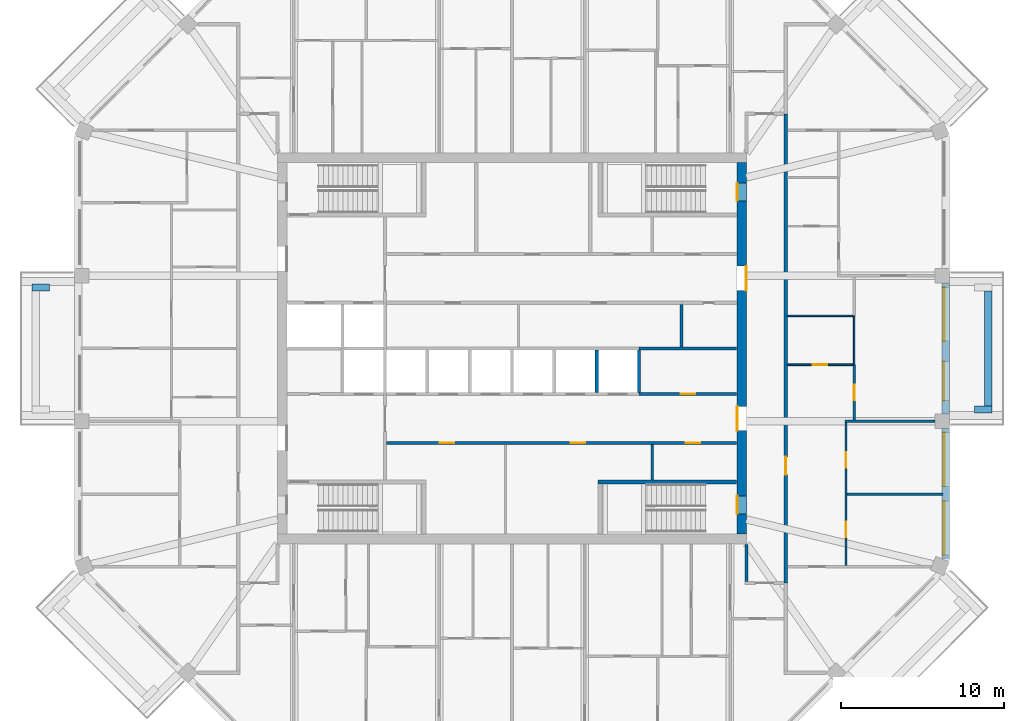
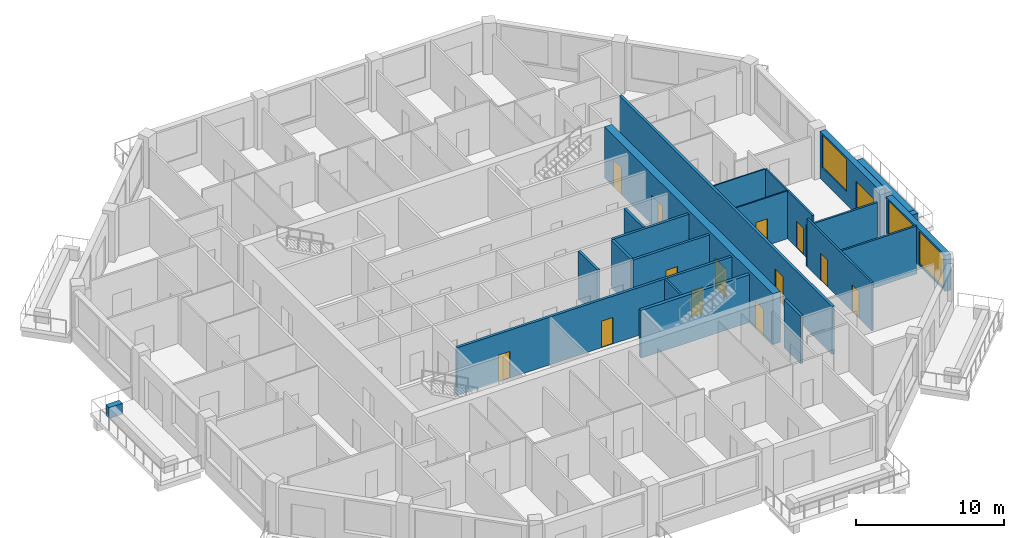
# One storey, part 6 of 13: 23 walls, 14 doors, 3 windows, 17 openings.
"""IFC4 building model written with IfcOpenShell, lengths in metres."""

from ifc_helpers import new_model, si_unit, direction, frame, frame_2d, origin, place, context, subcontext, project, spatial, rectangle, extrude, material, layer, layer_set, type_object, element, fill, save


model = new_model("IFC4")

# Units and contexts
model_context = context("Model", 3, precision=1e-05, world=origin(), true_north=direction((0.0, 1.0)))
body_context = subcontext(model_context, "Body", "Model", "MODEL_VIEW")
ifc_project = project(units=[si_unit("LENGTHUNIT", "METRE"), si_unit("AREAUNIT", "SQUARE_METRE"), si_unit("VOLUMEUNIT", "CUBIC_METRE"), si_unit("PLANEANGLEUNIT", "RADIAN"), si_unit("MASSUNIT", "GRAM", prefix="KILO")], contexts=[model_context])

# Site, building, storey
site_placement = place(None, origin())
site = spatial("IfcSite", under=ifc_project, at=site_placement, CompositionType="ELEMENT")
building_placement = place(site_placement, origin())
building = spatial("IfcBuilding", under=site, at=building_placement, Name="Msitu Wima Residences", CompositionType="ELEMENT")
storey_placement = place(building_placement, frame((0.0, 0.0, 281.10009765625)))
storey = spatial("IfcBuildingStorey", under=building, at=storey_placement, Name="L65", CompositionType="ELEMENT", Elevation=281.10009765625)

# Walls
ifc_material_1 = material(Name="Facing brick")
ifc_layer_1 = layer(ifc_material_1, 0.06494140625, Name="Facing brick")
ifc_material_2 = material(Name="Concrete C40/50", Category="concrete")
ifc_layer_2 = layer(ifc_material_2, 0.156005859375, Name="Concrete C40/50")
ifc_material_3 = material(Name="Waterproofing membrane")
ifc_layer_3 = layer(ifc_material_3, 0.00390625, Name="Waterproofing membrane")
ifc_material_4 = material(Name="Planting soil and planting")
ifc_layer_4 = layer(ifc_material_4, 0.22509765625, Name="Planting soil and planting")
ifc_layer_set_1 = layer_set([ifc_layer_1, ifc_layer_2, ifc_layer_3, ifc_layer_4], Name="Concrete C40/50")
wall_type_1 = type_object("IfcWallType", Name="Balcony planter PLANTER PL450", PredefinedType="USERDEFINED", material=ifc_layer_set_1)
wall_1_placement = place(storey_placement, frame((29.22509765625, -3.5185546875, 0.0), z_axis=(0.0, 0.0, 1.0), x_axis=(0.0, 1.0, 0.0)))
element("IfcWall", 1, at=wall_1_placement, inside=storey, type_object=wall_type_1, Name="Balcony planter E1 L65", ObjectType="PLANTER", PredefinedType="USERDEFINED", context=body_context, shape_type="SweptSolid", body=[
    extrude(rectangle(XDim=7.037109375, YDim=0.449951171875, at=frame_2d((3.5185546875, 0.0))), origin(), (0.0, 0.0, 1.0), 0.89990234375),
])
for number, where, z_axis, x_axis, name in (
    (2, (28.39990234375, -3.74365234375, 0.0), (0.0, 0.0, 1.0), (1.0, 0.0, 0.0), "Balcony planter E1 L65"),
    (3, (-28.39990234375, 3.74365234375, 0.0), (0.0, 0.0, 1.0), (-1.0, 0.0, 0.0), "Balcony planter W1 L65"),
):
    element("IfcWall", number, at=place(storey_placement, frame(where, z_axis=z_axis, x_axis=x_axis)), inside=storey, type_object=wall_type_1, Name=name, ObjectType="PLANTER", PredefinedType="USERDEFINED", context=body_context, shape_type="SweptSolid", body=[
        extrude(rectangle(XDim=1.050048828125, YDim=0.449951171875, at=frame_2d((0.52490234375, 0.0))), origin(), (0.0, 0.0, 1.0), 0.89990234375),
    ])

# Wall, openings, windows
ifc_material_5 = material(Name="Brick (red buff mix)", Category="masonry")
ifc_layer_5 = layer(ifc_material_5, 0.449951171875)
ifc_layer_set_2 = layer_set([ifc_layer_5], Name="Brick (red buff mix)")
wall_type_2 = type_object("IfcWallType", Name="Brick infill wall BW450", PredefinedType="SOLIDWALL", material=ifc_layer_set_2)
wall_2_placement = place(storey_placement, frame((26.625, -12.918701171875, 0.89990234375), z_axis=(0.0, 0.0, 1.0), x_axis=(0.0, 1.0, 0.0)))
wall_2 = element("IfcWall", 4, at=wall_2_placement, inside=storey, type_object=wall_type_2, Name="Brick infill wall L65 E0", PredefinedType="SOLIDWALL", context=body_context, shape_type="SweptSolid", body=[
    extrude(rectangle(XDim=8.0, YDim=0.449951171875, at=frame_2d((4.0, 0.0))), origin(), (0.0, 0.0, 1.0), 3.0),
])
opening_1_placement = place(wall_2_placement, frame((0.25, 0.0, 0.14990234375)))
opening_1 = element("IfcOpeningElement", 5, at=opening_1_placement, cuts=wall_2, Name="Opening W65-67.001", PredefinedType="OPENING", context=body_context, shape_type="SweptSolid", body=[
    extrude(rectangle(XDim=3.300048828125, YDim=2.699951171875, at=frame_2d((1.64990234375, 1.35009765625))), frame((0.0, 0.23486328125, 0.0), z_axis=(0.0, -1.0, 0.0), x_axis=(1.0, 0.0, 0.0)), (0.0, 0.0, 1.0), 0.469970703125),
])
opening_2_placement = place(wall_2_placement, frame((4.4501953125, 0.0, 0.14990234375)))
opening_2 = element("IfcOpeningElement", 6, at=opening_2_placement, cuts=wall_2, Name="Opening W65-67.002", PredefinedType="OPENING", context=body_context, shape_type="SweptSolid", body=[
    extrude(rectangle(XDim=3.300048828125, YDim=2.699951171875, at=frame_2d((1.64990234375, 1.35009765625))), frame((0.0, 0.23486328125, 0.0), z_axis=(0.0, -1.0, 0.0), x_axis=(1.0, 0.0, 0.0)), (0.0, 0.0, 1.0), 0.469970703125),
])
ifc_material_6 = material(Name="Anodised aluminium, bronze finish, clear low-emissivity double glazing", Category="aluminium")
window_type = type_object("IfcWindowType", Name="Window W3300x2700", PartitioningType="DOUBLE_PANEL_VERTICAL", PredefinedType="WINDOW", material=ifc_material_6)
window_1_placement = place(opening_1_placement, origin())
window_1 = element("IfcWindow", 7, at=window_1_placement, inside=storey, type_object=window_type, Name="Window L65 E0.1", OverallHeight=2.699951171875, OverallWidth=3.300048828125, PartitioningType="SINGLE_PANEL", PredefinedType="WINDOW", context=body_context, shape_type="SweptSolid", body=[
    extrude(rectangle(XDim=3.300048828125, YDim=2.699951171875, at=frame_2d((1.64990234375, 1.35009765625))), frame((0.0, 0.135009765625, 0.0), z_axis=(0.0, -1.0, 0.0), x_axis=(1.0, 0.0, 0.0)), (0.0, 0.0, 1.0), 0.06005859375),
])
fill(opening_1, window_1)
window_2_placement = place(opening_2_placement, origin())
window_2 = element("IfcWindow", 8, at=window_2_placement, inside=storey, type_object=window_type, Name="Window L65 E0.2", OverallHeight=2.699951171875, OverallWidth=3.300048828125, PartitioningType="SINGLE_PANEL", PredefinedType="WINDOW", context=body_context, shape_type="SweptSolid", body=[
    extrude(rectangle(XDim=3.300048828125, YDim=2.699951171875, at=frame_2d((1.64990234375, 1.35009765625))), frame((0.0, 0.135009765625, 0.0), z_axis=(0.0, -1.0, 0.0), x_axis=(1.0, 0.0, 0.0)), (0.0, 0.0, 1.0), 0.06005859375),
])
fill(opening_2, window_2)

# Wall, openings, door, window
wall_3_placement = place(storey_placement, frame((26.625, -4.0185546875, 0.0), z_axis=(0.0, 0.0, 1.0), x_axis=(0.0, 1.0, 0.0)))
wall_3 = element("IfcWall", 9, at=wall_3_placement, inside=storey, type_object=wall_type_2, Name="Brick infill wall L65 E1", PredefinedType="SOLIDWALL", context=body_context, shape_type="SweptSolid", body=[
    extrude(rectangle(XDim=8.037109375, YDim=0.449951171875, at=frame_2d((4.0185546875, 0.0))), origin(), (0.0, 0.0, 1.0), 3.89990234375),
])
opening_3_placement = place(wall_3_placement, frame((0.809326171875, 0.0, 0.0)))
opening_3 = element("IfcOpeningElement", 10, at=opening_3_placement, cuts=wall_3, Name="Opening D65-67.001", PredefinedType="OPENING", context=body_context, shape_type="SweptSolid", body=[
    extrude(rectangle(XDim=2.39990234375, YDim=2.699951171875, at=frame_2d((1.199951171875, 1.35009765625))), frame((0.0, 0.23486328125, 0.0), z_axis=(0.0, -1.0, 0.0), x_axis=(1.0, 0.0, 0.0)), (0.0, 0.0, 1.0), 0.469970703125),
])
opening_4_placement = place(wall_3_placement, frame((4.46875, 0.0, 1.050048828125)))
opening_4 = element("IfcOpeningElement", 11, at=opening_4_placement, cuts=wall_3, Name="Opening W65-67.003", PredefinedType="OPENING", context=body_context, shape_type="SweptSolid", body=[
    extrude(rectangle(XDim=3.300048828125, YDim=2.699951171875, at=frame_2d((1.64990234375, 1.35009765625))), frame((0.0, 0.23486328125, 0.0), z_axis=(0.0, -1.0, 0.0), x_axis=(1.0, 0.0, 0.0)), (0.0, 0.0, 1.0), 0.469970703125),
])
door_type_1 = type_object("IfcDoorType", Name="Balcony door D2400x2700", OperationType="SLIDING_TO_LEFT", PredefinedType="DOOR", material=ifc_material_6)
door_1_placement = place(opening_3_placement, origin())
door_1 = element("IfcDoor", 12, at=door_1_placement, inside=storey, type_object=door_type_1, Name="Balcony door L65 E1", OperationType="SINGLE_SWING_LEFT", OverallHeight=2.699951171875, OverallWidth=2.39990234375, PredefinedType="DOOR", context=body_context, shape_type="SweptSolid", body=[
    extrude(rectangle(XDim=2.39990234375, YDim=2.699951171875, at=frame_2d((1.199951171875, 1.35009765625))), frame((0.0, 0.1298828125, 0.0), z_axis=(0.0, -1.0, 0.0), x_axis=(1.0, 0.0, 0.0)), (0.0, 0.0, 1.0), 0.050048828125),
])
fill(opening_3, door_1)
window_3_placement = place(opening_4_placement, origin())
window_3 = element("IfcWindow", 13, at=window_3_placement, inside=storey, type_object=window_type, Name="Window L65 E1.2", OverallHeight=2.699951171875, OverallWidth=3.300048828125, PartitioningType="SINGLE_PANEL", PredefinedType="WINDOW", context=body_context, shape_type="SweptSolid", body=[
    extrude(rectangle(XDim=3.300048828125, YDim=2.699951171875, at=frame_2d((1.64990234375, 1.35009765625))), frame((0.0, 0.135009765625, 0.0), z_axis=(0.0, -1.0, 0.0), x_axis=(1.0, 0.0, 0.0)), (0.0, 0.0, 1.0), 0.06005859375),
])
fill(opening_4, window_3)

# Wall, openings, doors
ifc_material_7 = material(Name="Concrete C50/60", Category="concrete")
ifc_layer_6 = layer(ifc_material_7, 0.60009765625)
ifc_layer_set_3 = layer_set([ifc_layer_6], Name="Concrete C50/60")
wall_type_3 = type_object("IfcWallType", Name="Core wall CW600 C50/60", PredefinedType="SHEAR", material=ifc_layer_set_3)
wall_4_placement = place(storey_placement, frame((14.10009765625, -11.39990234375, 0.0), z_axis=(0.0, 0.0, 1.0), x_axis=(0.0, 1.0, 0.0)))
wall_4 = element("IfcWall", 14, at=wall_4_placement, inside=storey, type_object=wall_type_3, Name="Core wall", PredefinedType="SHEAR", context=body_context, shape_type="SweptSolid", body=[
    extrude(rectangle(XDim=22.7998046875, YDim=0.60009765625, at=frame_2d((11.39990234375, 0.0))), origin(), (0.0, 0.0, 1.0), 4.199951171875),
])
opening_5_placement = place(wall_4_placement, frame((20.449951171875, 0.0, 0.0)))
opening_5 = element("IfcOpeningElement", 15, at=opening_5_placement, cuts=wall_4, Name="Opening D65-67.096", PredefinedType="OPENING", context=body_context, shape_type="SweptSolid", body=[
    extrude(rectangle(XDim=1.10009765625, YDim=2.199951171875, at=frame_2d((0.550048828125, 1.10009765625))), frame((0.0, 0.31005859375, 0.0), z_axis=(0.0, -1.0, 0.0), x_axis=(1.0, 0.0, 0.0)), (0.0, 0.0, 1.0), 0.6201171875),
])
opening_6_placement = place(wall_4_placement, frame((1.25, 0.0, 0.0)))
opening_6 = element("IfcOpeningElement", 16, at=opening_6_placement, cuts=wall_4, Name="Opening D65-67.097", PredefinedType="OPENING", context=body_context, shape_type="SweptSolid", body=[
    extrude(rectangle(XDim=1.10009765625, YDim=2.199951171875, at=frame_2d((0.550048828125, 1.10009765625))), frame((0.0, 0.31005859375, 0.0), z_axis=(0.0, -1.0, 0.0), x_axis=(1.0, 0.0, 0.0)), (0.0, 0.0, 1.0), 0.6201171875),
])
opening_7_placement = place(wall_4_placement, frame((14.949951171875, 0.0, 0.0)))
opening_7 = element("IfcOpeningElement", 17, at=opening_7_placement, cuts=wall_4, Name="Opening D65-67.086", PredefinedType="OPENING", context=body_context, shape_type="SweptSolid", body=[
    extrude(rectangle(XDim=1.5, YDim=2.39990234375, at=frame_2d((0.75, 1.199951171875))), frame((0.0, 0.31005859375, 0.0), z_axis=(0.0, -1.0, 0.0), x_axis=(1.0, 0.0, 0.0)), (0.0, 0.0, 1.0), 0.6201171875),
])
opening_8_placement = place(wall_4_placement, frame((6.35009765625, 0.0, 0.0)))
opening_8 = element("IfcOpeningElement", 18, at=opening_8_placement, cuts=wall_4, Name="Opening D65-67.087", PredefinedType="OPENING", context=body_context, shape_type="SweptSolid", body=[
    extrude(rectangle(XDim=1.5, YDim=2.39990234375, at=frame_2d((0.75, 1.199951171875))), frame((0.0, 0.31005859375, 0.0), z_axis=(0.0, -1.0, 0.0), x_axis=(1.0, 0.0, 0.0)), (0.0, 0.0, 1.0), 0.6201171875),
])
ifc_material_8 = material(Name="Steel framed glazed door, fire resisting", Category="steel")
door_type_2 = type_object("IfcDoorType", Name="Lobby door D07 1500x2400", OperationType="DOUBLE_DOOR_SINGLE_SWING", PredefinedType="DOOR", material=ifc_material_8)
door_2_placement = place(opening_7_placement, origin())
door_2 = element("IfcDoor", 19, at=door_2_placement, inside=storey, type_object=door_type_2, Name="Lobby door", OperationType="DOUBLE_DOOR_SINGLE_SWING", OverallHeight=2.39990234375, OverallWidth=1.5, PredefinedType="DOOR", context=body_context, shape_type="SweptSolid", body=[
    extrude(rectangle(XDim=1.5, YDim=2.39990234375, at=frame_2d((0.75, 1.199951171875))), frame((0.0, -0.2451171875, 0.0), z_axis=(0.0, -1.0, 0.0), x_axis=(1.0, 0.0, 0.0)), (0.0, 0.0, 1.0), 0.050048828125),
])
fill(opening_7, door_2)
door_3_placement = place(opening_8_placement, origin())
door_3 = element("IfcDoor", 20, at=door_3_placement, inside=storey, type_object=door_type_2, Name="Lobby door", OperationType="DOUBLE_DOOR_SINGLE_SWING", OverallHeight=2.39990234375, OverallWidth=1.5, PredefinedType="DOOR", context=body_context, shape_type="SweptSolid", body=[
    extrude(rectangle(XDim=1.5, YDim=2.39990234375, at=frame_2d((0.75, 1.199951171875))), frame((0.0, 0.294921875, 0.0), z_axis=(0.0, -1.0, 0.0), x_axis=(1.0, 0.0, 0.0)), (0.0, 0.0, 1.0), 0.050048828125),
])
fill(opening_8, door_3)
ifc_material_9 = material(Name="Steel door, fire resisting, panic bar", Category="steel")
door_type_3 = type_object("IfcDoorType", Name="Stair door D06 1100x2200", OperationType="SINGLE_SWING_LEFT", PredefinedType="DOOR", material=ifc_material_9)
door_4_placement = place(opening_5_placement, origin())
door_4 = element("IfcDoor", 21, at=door_4_placement, inside=storey, type_object=door_type_3, Name="Stair door", OperationType="SINGLE_SWING_LEFT", OverallHeight=2.199951171875, OverallWidth=1.10009765625, PredefinedType="DOOR", context=body_context, shape_type="SweptSolid", body=[
    extrude(rectangle(XDim=1.10009765625, YDim=2.199951171875, at=frame_2d((0.550048828125, 1.10009765625))), frame((0.0, 0.294921875, 0.0), z_axis=(0.0, -1.0, 0.0), x_axis=(1.0, 0.0, 0.0)), (0.0, 0.0, 1.0), 0.050048828125),
])
fill(opening_5, door_4)
door_5_placement = place(opening_6_placement, origin())
door_5 = element("IfcDoor", 22, at=door_5_placement, inside=storey, type_object=door_type_3, Name="Stair door", OperationType="SINGLE_SWING_RIGHT", OverallHeight=2.199951171875, OverallWidth=1.10009765625, PredefinedType="DOOR", context=body_context, shape_type="SweptSolid", body=[
    extrude(rectangle(XDim=1.10009765625, YDim=2.199951171875, at=frame_2d((0.550048828125, 1.10009765625))), frame((0.0, 0.294921875, 0.0), z_axis=(0.0, -1.0, 0.0), x_axis=(1.0, 0.0, 0.0)), (0.0, 0.0, 1.0), 0.050048828125),
])
fill(opening_6, door_5)

ifc_material_10 = material(Name="Plaster")
ifc_layer_7 = layer(ifc_material_10, 0.011962890625, Name="Plaster")
ifc_material_11 = material(Name="Concrete blockwork", Category="masonry")
ifc_layer_8 = layer(ifc_material_11, 0.176025390625, Name="Concrete blockwork")
ifc_layer_9 = layer(ifc_material_10, 0.011962890625, Name="Plaster")
ifc_layer_set_4 = layer_set([ifc_layer_7, ifc_layer_8, ifc_layer_9], Name="Concrete blockwork")
wall_type_4 = type_object("IfcWallType", Name="Corridor wall FW200", PredefinedType="PARTITIONING", material=ifc_layer_set_4)
wall_5_placement = place(storey_placement, frame((-7.699951171875, -5.800048828125, 0.0), z_axis=(0.0, 0.0, 1.0), x_axis=(1.0, 0.0, 0.0)))
wall_5 = element("IfcWall", 23, at=wall_5_placement, inside=storey, type_object=wall_type_4, Name="Corridor wall", PredefinedType="PARTITIONING", context=body_context, shape_type="SweptSolid", body=[
    extrude(rectangle(XDim=21.469970703125, YDim=0.199951171875, at=frame_2d((10.73486328125, 0.0))), origin(), (0.0, 0.0, 1.0), 3.949951171875),
])
opening_9_placement = place(wall_5_placement, frame((3.25, 0.0, 0.0)))
opening_9 = element("IfcOpeningElement", 24, at=opening_9_placement, cuts=wall_5, Name="Opening D65-67.083", PredefinedType="OPENING", context=body_context, shape_type="SweptSolid", body=[
    extrude(rectangle(XDim=0.89990234375, YDim=2.199951171875, at=frame_2d((0.449951171875, 1.10009765625))), frame((0.0, 0.10986328125, 0.0), z_axis=(0.0, -1.0, 0.0), x_axis=(1.0, 0.0, 0.0)), (0.0, 0.0, 1.0), 0.219970703125),
])
opening_10_placement = place(wall_5_placement, frame((11.300048828125, 0.0, 0.0)))
opening_10 = element("IfcOpeningElement", 25, at=opening_10_placement, cuts=wall_5, Name="Opening D65-67.084", PredefinedType="OPENING", context=body_context, shape_type="SweptSolid", body=[
    extrude(rectangle(XDim=0.89990234375, YDim=2.199951171875, at=frame_2d((0.449951171875, 1.10009765625))), frame((0.0, 0.10986328125, 0.0), z_axis=(0.0, -1.0, 0.0), x_axis=(1.0, 0.0, 0.0)), (0.0, 0.0, 1.0), 0.219970703125),
])
opening_11_placement = place(wall_5_placement, frame((18.35009765625, 0.0, 0.0)))
opening_11 = element("IfcOpeningElement", 26, at=opening_11_placement, cuts=wall_5, Name="Opening D65-67.085", PredefinedType="OPENING", context=body_context, shape_type="SweptSolid", body=[
    extrude(rectangle(XDim=0.89990234375, YDim=2.199951171875, at=frame_2d((0.449951171875, 1.10009765625))), frame((0.0, 0.10986328125, 0.0), z_axis=(0.0, -1.0, 0.0), x_axis=(1.0, 0.0, 0.0)), (0.0, 0.0, 1.0), 0.219970703125),
])
ifc_material_12 = material(Name="Timber flush door", Category="wood")
door_type_4 = type_object("IfcDoorType", Name="Service door D05 900x2200", OperationType="SINGLE_SWING_LEFT", PredefinedType="DOOR", material=ifc_material_12)
door_6_placement = place(opening_9_placement, origin())
door_6 = element("IfcDoor", 27, at=door_6_placement, inside=storey, type_object=door_type_4, Name="Service door", OperationType="SINGLE_SWING_RIGHT", OverallHeight=2.199951171875, OverallWidth=0.89990234375, PredefinedType="DOOR", context=body_context, shape_type="SweptSolid", body=[
    extrude(rectangle(XDim=0.89990234375, YDim=2.199951171875, at=frame_2d((0.449951171875, 1.10009765625))), frame((0.0, 0.02490234375, 0.0), z_axis=(0.0, -1.0, 0.0), x_axis=(1.0, 0.0, 0.0)), (0.0, 0.0, 1.0), 0.050048828125),
])
fill(opening_9, door_6)
door_7_placement = place(opening_10_placement, origin())
door_7 = element("IfcDoor", 28, at=door_7_placement, inside=storey, type_object=door_type_4, Name="Service door", OperationType="SINGLE_SWING_LEFT", OverallHeight=2.199951171875, OverallWidth=0.89990234375, PredefinedType="DOOR", context=body_context, shape_type="SweptSolid", body=[
    extrude(rectangle(XDim=0.89990234375, YDim=2.199951171875, at=frame_2d((0.449951171875, 1.10009765625))), frame((0.0, 0.02490234375, 0.0), z_axis=(0.0, -1.0, 0.0), x_axis=(1.0, 0.0, 0.0)), (0.0, 0.0, 1.0), 0.050048828125),
])
fill(opening_10, door_7)
door_8_placement = place(opening_11_placement, origin())
door_8 = element("IfcDoor", 29, at=door_8_placement, inside=storey, type_object=door_type_4, Name="Service door", OperationType="SINGLE_SWING_RIGHT", OverallHeight=2.199951171875, OverallWidth=0.89990234375, PredefinedType="DOOR", context=body_context, shape_type="SweptSolid", body=[
    extrude(rectangle(XDim=0.89990234375, YDim=2.199951171875, at=frame_2d((0.449951171875, 1.10009765625))), frame((0.0, 0.02490234375, 0.0), z_axis=(0.0, -1.0, 0.0), x_axis=(1.0, 0.0, 0.0)), (0.0, 0.0, 1.0), 0.050048828125),
])
fill(opening_11, door_8)

# Wall
wall_6_placement = place(storey_placement, frame((14.39990234375, -14.300048828125, 0.0), z_axis=(0.0, 0.0, 1.0), x_axis=(0.0, 1.0, 0.0)))
element("IfcWall", 30, at=wall_6_placement, inside=storey, type_object=wall_type_4, Name="Corridor wall", PredefinedType="PARTITIONING", context=body_context, shape_type="SweptSolid", body=[
    extrude(rectangle(XDim=2.27001953125, YDim=0.199951171875, at=frame_2d((1.135009765625, 0.0))), origin(), (0.0, 0.0, 1.0), 3.949951171875),
])

# Wall, opening, door
wall_7_placement = place(storey_placement, frame((16.800048828125, -14.39990234375, 0.0), z_axis=(0.0, 0.0, 1.0), x_axis=(0.0, 1.0, 0.0)))
wall_7 = element("IfcWall", 31, at=wall_7_placement, inside=storey, type_object=wall_type_4, Name="Corridor wall", PredefinedType="PARTITIONING", context=body_context, shape_type="SweptSolid", body=[
    extrude(rectangle(XDim=28.7998046875, YDim=0.199951171875, at=frame_2d((14.39990234375, 0.0))), origin(), (0.0, 0.0, 1.0), 3.949951171875),
])
opening_12_placement = place(wall_7_placement, frame((6.64990234375, 0.0, 0.0)))
opening_12 = element("IfcOpeningElement", 32, at=opening_12_placement, cuts=wall_7, Name="Opening D65-67.011", PredefinedType="OPENING", context=body_context, shape_type="SweptSolid", body=[
    extrude(rectangle(XDim=1.10009765625, YDim=2.39990234375, at=frame_2d((0.550048828125, 1.199951171875))), frame((0.0, 0.10986328125, 0.0), z_axis=(0.0, -1.0, 0.0), x_axis=(1.0, 0.0, 0.0)), (0.0, 0.0, 1.0), 0.219970703125),
])
ifc_material_13 = material(Name="Timber flush door, fire resisting, self-closing", Category="wood")
door_type_5 = type_object("IfcDoorType", Name="Flat entrance door D01 1100x2400", OperationType="SINGLE_SWING_LEFT", PredefinedType="DOOR", material=ifc_material_13)
door_9_placement = place(opening_12_placement, origin())
door_9 = element("IfcDoor", 33, at=door_9_placement, inside=storey, type_object=door_type_5, Name="Flat entrance door", OperationType="SINGLE_SWING_RIGHT", OverallHeight=2.39990234375, OverallWidth=1.10009765625, PredefinedType="DOOR", context=body_context, shape_type="SweptSolid", body=[
    extrude(rectangle(XDim=1.10009765625, YDim=2.39990234375, at=frame_2d((0.550048828125, 1.199951171875))), frame((0.0, 0.02490234375, 0.0), z_axis=(0.0, -1.0, 0.0), x_axis=(1.0, 0.0, 0.0)), (0.0, 0.0, 1.0), 0.050048828125),
])
fill(opening_12, door_9)

# Wall
ifc_layer_10 = layer(ifc_material_10, 0.011962890625, Name="Plaster")
ifc_layer_11 = layer(ifc_material_11, 0.1259765625, Name="Concrete blockwork")
ifc_layer_12 = layer(ifc_material_10, 0.011962890625, Name="Plaster")
ifc_layer_set_5 = layer_set([ifc_layer_10, ifc_layer_11, ifc_layer_12], Name="Concrete blockwork")
wall_type_5 = type_object("IfcWallType", Name="Partition PW150", PredefinedType="PARTITIONING", material=ifc_layer_set_5)
wall_8_placement = place(storey_placement, frame((8.60009765625, -8.074951171875, 0.0), z_axis=(0.0, 0.0, 1.0), x_axis=(0.0, 1.0, 0.0)))
element("IfcWall", 34, at=wall_8_placement, inside=storey, type_object=wall_type_5, Name="Partition", PredefinedType="PARTITIONING", context=body_context, shape_type="SweptSolid", body=[
    extrude(rectangle(XDim=2.175048828125, YDim=0.14990234375, at=frame_2d((1.08740234375, 0.0))), origin(), (0.0, 0.0, 1.0), 3.949951171875),
])

# Wall, openings, doors
wall_9_placement = place(storey_placement, frame((20.5, -13.330810546875, 0.0), z_axis=(0.0, 0.0, 1.0), x_axis=(0.0, 1.0, 0.0)))
wall_9 = element("IfcWall", 35, at=wall_9_placement, inside=storey, type_object=wall_type_5, Name="Partition", PredefinedType="PARTITIONING", context=body_context, shape_type="SweptSolid", body=[
    extrude(rectangle(XDim=8.787109375, YDim=0.14990234375, at=frame_2d((4.3935546875, 0.0))), origin(), (0.0, 0.0, 1.0), 3.949951171875),
])
opening_13_placement = place(wall_9_placement, frame((1.75, 0.0, 0.0)))
opening_13 = element("IfcOpeningElement", 36, at=opening_13_placement, cuts=wall_9, Name="Opening D65-67.015", PredefinedType="OPENING", context=body_context, shape_type="SweptSolid", body=[
    extrude(rectangle(XDim=0.949951171875, YDim=2.199951171875, at=frame_2d((0.47509765625, 1.10009765625))), frame((0.0, 0.0849609375, 0.0), z_axis=(0.0, -1.0, 0.0), x_axis=(1.0, 0.0, 0.0)), (0.0, 0.0, 1.0), 0.169921875),
])
opening_14_placement = place(wall_9_placement, frame((6.0, 0.0, 0.0)))
opening_14 = element("IfcOpeningElement", 37, at=opening_14_placement, cuts=wall_9, Name="Opening D65-67.016", PredefinedType="OPENING", context=body_context, shape_type="SweptSolid", body=[
    extrude(rectangle(XDim=0.949951171875, YDim=2.199951171875, at=frame_2d((0.47509765625, 1.10009765625))), frame((0.0, 0.0849609375, 0.0), z_axis=(0.0, -1.0, 0.0), x_axis=(1.0, 0.0, 0.0)), (0.0, 0.0, 1.0), 0.169921875),
])
door_type_6 = type_object("IfcDoorType", Name="Room door D12 950x2200", OperationType="SINGLE_SWING_LEFT", PredefinedType="DOOR", material=ifc_material_12)
door_10_placement = place(opening_13_placement, origin())
door_10 = element("IfcDoor", 38, at=door_10_placement, inside=storey, type_object=door_type_6, Name="Room door", OperationType="SINGLE_SWING_LEFT", OverallHeight=2.199951171875, OverallWidth=0.949951171875, PredefinedType="DOOR", context=body_context, shape_type="SweptSolid", body=[
    extrude(rectangle(XDim=0.949951171875, YDim=2.199951171875, at=frame_2d((0.47509765625, 1.10009765625))), frame((0.0, 0.02490234375, 0.0), z_axis=(0.0, -1.0, 0.0), x_axis=(1.0, 0.0, 0.0)), (0.0, 0.0, 1.0), 0.050048828125),
])
fill(opening_13, door_10)
door_11_placement = place(opening_14_placement, origin())
door_11 = element("IfcDoor", 39, at=door_11_placement, inside=storey, type_object=door_type_6, Name="Room door", OperationType="SINGLE_SWING_RIGHT", OverallHeight=2.199951171875, OverallWidth=0.949951171875, PredefinedType="DOOR", context=body_context, shape_type="SweptSolid", body=[
    extrude(rectangle(XDim=0.949951171875, YDim=2.199951171875, at=frame_2d((0.47509765625, 1.10009765625))), frame((0.0, 0.02490234375, 0.0), z_axis=(0.0, -1.0, 0.0), x_axis=(1.0, 0.0, 0.0)), (0.0, 0.0, 1.0), 0.050048828125),
])
fill(opening_14, door_11)

# Walls
wall_10_placement = place(storey_placement, frame((20.574951171875, -8.937255859375, 0.0), z_axis=(0.0, 0.0, 1.0), x_axis=(1.0, 0.0, 0.0)))
element("IfcWall", 40, at=wall_10_placement, inside=storey, type_object=wall_type_5, Name="Partition", PredefinedType="PARTITIONING", context=body_context, shape_type="SweptSolid", body=[
    extrude(rectangle(XDim=5.880126953125, YDim=0.14990234375, at=frame_2d((2.93994140625, 0.0))), origin(), (0.0, 0.0, 1.0), 3.949951171875),
])
wall_11_placement = place(storey_placement, frame((20.425048828125, -4.46875, 0.0), z_axis=(0.0, 0.0, 1.0), x_axis=(1.0, 0.0, 0.0)))
element("IfcWall", 41, at=wall_11_placement, inside=storey, type_object=wall_type_5, Name="Partition", PredefinedType="PARTITIONING", context=body_context, shape_type="SweptSolid", body=[
    extrude(rectangle(XDim=5.52490234375, YDim=0.14990234375, at=frame_2d((2.762451171875, 0.0))), origin(), (0.0, 0.0, 1.0), 3.349853515625),
])

# Wall, opening, door
wall_12_placement = place(storey_placement, frame((21.0, -4.3935546875, 0.0), z_axis=(0.0, 0.0, 1.0), x_axis=(0.0, 1.0, 0.0)))
wall_12 = element("IfcWall", 42, at=wall_12_placement, inside=storey, type_object=wall_type_5, Name="Partition", PredefinedType="PARTITIONING", context=body_context, shape_type="SweptSolid", body=[
    extrude(rectangle(XDim=3.3935546875, YDim=0.14990234375, at=frame_2d((1.69677734375, 0.0))), origin(), (0.0, 0.0, 1.0), 3.949951171875),
])
opening_15_placement = place(wall_12_placement, frame((1.199951171875, 0.0, 0.0)))
opening_15 = element("IfcOpeningElement", 43, at=opening_15_placement, cuts=wall_12, Name="Opening D65-67.017", PredefinedType="OPENING", context=body_context, shape_type="SweptSolid", body=[
    extrude(rectangle(XDim=0.949951171875, YDim=2.199951171875, at=frame_2d((0.47509765625, 1.10009765625))), frame((0.0, 0.0849609375, 0.0), z_axis=(0.0, -1.0, 0.0), x_axis=(1.0, 0.0, 0.0)), (0.0, 0.0, 1.0), 0.169921875),
])
door_12_placement = place(opening_15_placement, origin())
door_12 = element("IfcDoor", 44, at=door_12_placement, inside=storey, type_object=door_type_6, Name="Room door", OperationType="SINGLE_SWING_RIGHT", OverallHeight=2.199951171875, OverallWidth=0.949951171875, PredefinedType="DOOR", context=body_context, shape_type="SweptSolid", body=[
    extrude(rectangle(XDim=0.949951171875, YDim=2.199951171875, at=frame_2d((0.47509765625, 1.10009765625))), frame((0.0, 0.02490234375, 0.0), z_axis=(0.0, -1.0, 0.0), x_axis=(1.0, 0.0, 0.0)), (0.0, 0.0, 1.0), 0.050048828125),
])
fill(opening_15, door_12)

ifc_layer_13 = layer(ifc_material_10, 0.011962890625, Name="Plaster")
ifc_material_14 = material(Name="Reinforced concrete blockwork", Category="masonry")
ifc_layer_14 = layer(ifc_material_14, 0.176025390625, Name="Reinforced concrete blockwork")
ifc_layer_15 = layer(ifc_material_10, 0.011962890625, Name="Plaster")
ifc_layer_set_6 = layer_set([ifc_layer_13, ifc_layer_14, ifc_layer_15], Name="Reinforced concrete blockwork")
wall_type_6 = type_object("IfcWallType", Name="Plant and riser wall PL200", PredefinedType="PARTITIONING", material=ifc_layer_set_6)
wall_13_placement = place(storey_placement, frame((7.800048828125, -2.800048828125, 0.0), z_axis=(0.0, 0.0, 1.0), x_axis=(1.0, 0.0, 0.0)))
wall_13 = element("IfcWall", 45, at=wall_13_placement, inside=storey, type_object=wall_type_6, Name="Plant and riser wall", PredefinedType="PARTITIONING", context=body_context, shape_type="SweptSolid", body=[
    extrude(rectangle(XDim=5.969970703125, YDim=0.199951171875, at=frame_2d((2.98486328125, 0.0))), origin(), (0.0, 0.0, 1.0), 3.949951171875),
])
opening_16_placement = place(wall_13_placement, frame((2.550048828125, 0.0, 0.0)))
opening_16 = element("IfcOpeningElement", 46, at=opening_16_placement, cuts=wall_13, Name="Opening D65-67.074", PredefinedType="OPENING", context=body_context, shape_type="SweptSolid", body=[
    extrude(rectangle(XDim=0.89990234375, YDim=2.199951171875, at=frame_2d((0.449951171875, 1.10009765625))), frame((0.0, 0.10986328125, 0.0), z_axis=(0.0, -1.0, 0.0), x_axis=(1.0, 0.0, 0.0)), (0.0, 0.0, 1.0), 0.219970703125),
])
door_13_placement = place(opening_16_placement, origin())
door_13 = element("IfcDoor", 47, at=door_13_placement, inside=storey, type_object=door_type_4, Name="Service door", OperationType="SINGLE_SWING_LEFT", OverallHeight=2.199951171875, OverallWidth=0.89990234375, PredefinedType="DOOR", context=body_context, shape_type="SweptSolid", body=[
    extrude(rectangle(XDim=0.89990234375, YDim=2.199951171875, at=frame_2d((0.449951171875, 1.10009765625))), frame((0.0, 0.02490234375, 0.0), z_axis=(0.0, -1.0, 0.0), x_axis=(1.0, 0.0, 0.0)), (0.0, 0.0, 1.0), 0.050048828125),
])
fill(opening_16, door_13)

# Walls
wall_14_placement = place(storey_placement, frame((7.800048828125, 0.0, 0.0), z_axis=(0.0, 0.0, 1.0), x_axis=(1.0, 0.0, 0.0)))
element("IfcWall", 48, at=wall_14_placement, inside=storey, type_object=wall_type_6, Name="Plant and riser wall", PredefinedType="PARTITIONING", context=body_context, shape_type="SweptSolid", body=[
    extrude(rectangle(XDim=5.969970703125, YDim=0.199951171875, at=frame_2d((2.98486328125, 0.0))), origin(), (0.0, 0.0, 1.0), 3.949951171875),
])
wall_15_placement = place(storey_placement, frame((10.39990234375, 0.10009765625, 0.0), z_axis=(0.0, 0.0, 1.0), x_axis=(0.0, 1.0, 0.0)))
element("IfcWall", 49, at=wall_15_placement, inside=storey, type_object=wall_type_6, Name="Plant and riser wall", PredefinedType="PARTITIONING", context=body_context, shape_type="SweptSolid", body=[
    extrude(rectangle(XDim=2.599853515625, YDim=0.199951171875, at=frame_2d((1.2998046875, 0.0))), origin(), (0.0, 0.0, 1.0), 3.949951171875),
])
ifc_material_15 = material(Name="Fire-rated board")
ifc_layer_16 = layer(ifc_material_15, 0.02490234375, Name="Fire-rated board")
ifc_material_16 = material(Name="Light-gauge stud framing with mineral wool")
ifc_layer_17 = layer(ifc_material_16, 0.14990234375, Name="Light-gauge stud framing with mineral wool")
ifc_layer_18 = layer(ifc_material_15, 0.02490234375, Name="Fire-rated board")
ifc_layer_set_7 = layer_set([ifc_layer_16, ifc_layer_17, ifc_layer_18], Name="Light-gauge stud framing with mineral wool")
wall_type_7 = type_object("IfcWallType", Name="Shaft wall SH200", PredefinedType="PARTITIONING", material=ifc_layer_set_7)
for number, where, z_axis, x_axis, name in (
    (50, (5.199951171875, -2.699951171875, 0.0), (0.0, 0.0, 1.0), (0.0, 1.0, 0.0), "Shaft wall"),
    (51, (7.800048828125, -2.699951171875, 0.0), (0.0, 0.0, 1.0), (0.0, 1.0, 0.0), "Shaft wall"),
):
    element("IfcWall", number, at=place(storey_placement, frame(where, z_axis=z_axis, x_axis=x_axis)), inside=storey, type_object=wall_type_7, Name=name, PredefinedType="PARTITIONING", context=body_context, shape_type="SweptSolid", body=[
        extrude(rectangle(XDim=2.599853515625, YDim=0.199951171875, at=frame_2d((1.2998046875, 0.0))), origin(), (0.0, 0.0, 1.0), 3.949951171875),
    ])
ifc_layer_19 = layer(ifc_material_7, 0.25)
ifc_layer_set_8 = layer_set([ifc_layer_19], Name="Concrete C50/60")
wall_type_8 = type_object("IfcWallType", Name="Stair enclosure wall SW250", PredefinedType="SHEAR", material=ifc_layer_set_8)
wall_16_placement = place(storey_placement, frame((5.27490234375, -8.199951171875, 0.0), z_axis=(0.0, 0.0, 1.0), x_axis=(1.0, 0.0, 0.0)))
element("IfcWall", 52, at=wall_16_placement, inside=storey, type_object=wall_type_8, Name="Stair enclosure wall", PredefinedType="SHEAR", context=body_context, shape_type="SweptSolid", body=[
    extrude(rectangle(XDim=8.4951171875, YDim=0.25, at=frame_2d((4.24755859375, 0.0))), origin(), (0.0, 0.0, 1.0), 3.949951171875),
])

# Wall, opening, door
ifc_material_17 = material(Name="Ceramic tiles")
ifc_layer_20 = layer(ifc_material_17, 0.008056640625, Name="Ceramic tiles")
ifc_material_18 = material(Name="Moisture-resistant board")
ifc_layer_21 = layer(ifc_material_18, 0.012451171875, Name="Moisture-resistant board")
ifc_layer_22 = layer(ifc_material_16, 0.06689453125, Name="Light-gauge stud framing with mineral wool")
ifc_layer_23 = layer(ifc_material_18, 0.012451171875, Name="Moisture-resistant board")
ifc_layer_set_9 = layer_set([ifc_layer_20, ifc_layer_21, ifc_layer_22, ifc_layer_23], Name="Light-gauge stud framing with mineral wool")
wall_type_9 = type_object("IfcWallType", Name="Wet wall PW100", PredefinedType="PARTITIONING", material=ifc_layer_set_9)
wall_17_placement = place(storey_placement, frame((16.89990234375, -1.0, 0.0), z_axis=(0.0, 0.0, 1.0), x_axis=(1.0, 0.0, 0.0)))
wall_17 = element("IfcWall", 53, at=wall_17_placement, inside=storey, type_object=wall_type_9, Name="Wet wall", PredefinedType="PARTITIONING", context=body_context, shape_type="SweptSolid", body=[
    extrude(rectangle(XDim=4.050048828125, YDim=0.10009765625, at=frame_2d((2.02490234375, 0.0))), origin(), (0.0, 0.0, 1.0), 3.949951171875),
])
opening_17_placement = place(wall_17_placement, frame((1.550048828125, 0.0, 0.0)))
opening_17 = element("IfcOpeningElement", 54, at=opening_17_placement, cuts=wall_17, Name="Opening D65-67.014", PredefinedType="OPENING", context=body_context, shape_type="SweptSolid", body=[
    extrude(rectangle(XDim=0.89990234375, YDim=2.199951171875, at=frame_2d((0.449951171875, 1.10009765625))), frame((0.0, 0.06005859375, 0.0), z_axis=(0.0, -1.0, 0.0), x_axis=(1.0, 0.0, 0.0)), (0.0, 0.0, 1.0), 0.1201171875),
])
ifc_material_19 = material(Name="Timber flush door, moisture resistant", Category="wood")
door_type_7 = type_object("IfcDoorType", Name="Bathroom door D03 900x2200", OperationType="SINGLE_SWING_LEFT", PredefinedType="DOOR", material=ifc_material_19)
door_14_placement = place(opening_17_placement, origin())
door_14 = element("IfcDoor", 55, at=door_14_placement, inside=storey, type_object=door_type_7, Name="Bathroom door", OperationType="SINGLE_SWING_LEFT", OverallHeight=2.199951171875, OverallWidth=0.89990234375, PredefinedType="DOOR", context=body_context, shape_type="SweptSolid", body=[
    extrude(rectangle(XDim=0.89990234375, YDim=2.199951171875, at=frame_2d((0.449951171875, 1.10009765625))), frame((0.0, 0.02490234375, 0.0), z_axis=(0.0, -1.0, 0.0), x_axis=(1.0, 0.0, 0.0)), (0.0, 0.0, 1.0), 0.050048828125),
])
fill(opening_17, door_14)

# Walls
wall_18_placement = place(storey_placement, frame((16.89990234375, 2.0, 0.0), z_axis=(0.0, 0.0, 1.0), x_axis=(1.0, 0.0, 0.0)))
element("IfcWall", 56, at=wall_18_placement, inside=storey, type_object=wall_type_9, Name="Wet wall", PredefinedType="PARTITIONING", context=body_context, shape_type="SweptSolid", body=[
    extrude(rectangle(XDim=4.025146484375, YDim=0.10009765625, at=frame_2d((2.0126953125, 0.0))), origin(), (0.0, 0.0, 1.0), 3.949951171875),
])
wall_19_placement = place(storey_placement, frame((21.0, -1.0, 0.0), z_axis=(0.0, 0.0, 1.0), x_axis=(0.0, 1.0, 0.0)))
element("IfcWall", 57, at=wall_19_placement, inside=storey, type_object=wall_type_9, Name="Wet wall", PredefinedType="PARTITIONING", context=body_context, shape_type="SweptSolid", body=[
    extrude(rectangle(XDim=3.0, YDim=0.10009765625, at=frame_2d((1.5, 0.0))), origin(), (0.0, 0.0, 1.0), 3.949951171875),
])

save(model, "model.ifc")
